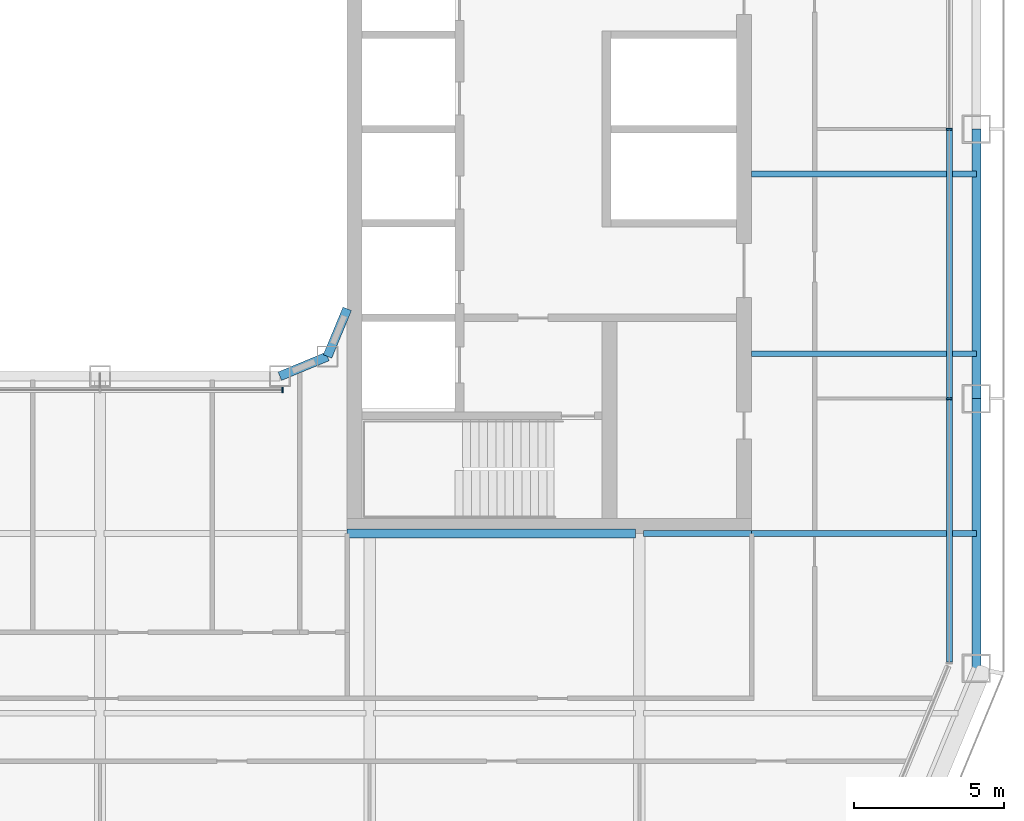
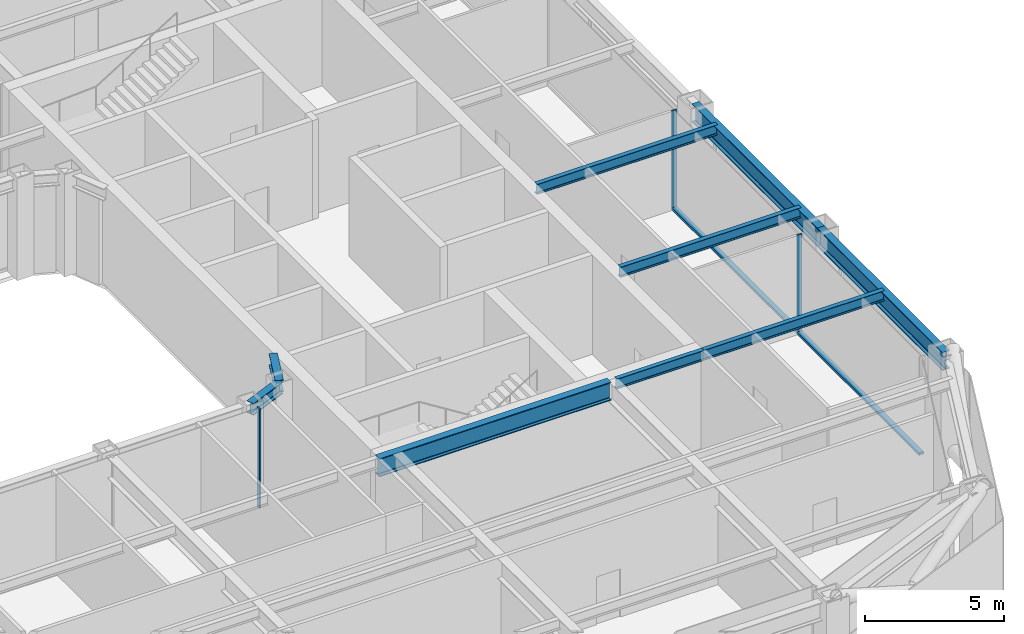
# One storey, part 5 of 21: 9 beams, 5 members, 2 elements without a shape of their own.
"""IFC4 building model written with IfcOpenShell, lengths in metres."""

import ifcopenshell
import ifcopenshell.guid

model = None  # the IFC model being written
_history = None  # IfcOwnerHistory: only IFC2X3 demands one
_inside = {}  # id of a spatial element -> (the spatial element, [elements in it])
_under = {}  # id of a project, library or spatial element -> (it, [spatial elements below it])
_declared = {}  # id of a project -> (the project, [libraries it declares])
_typed = {}  # id of a type object -> (the type object, [elements of that type])
_made_of = {}  # id of a material, layer set ... -> (it, [elements and type objects made of it])


def new_model(schema):
    """Start an empty IFC model of exactly this schema.

    Asked for "IFC4X3", IfcOpenShell would pick the latest addendum, in which some entities
    have other attributes; the version numbers below select the first issue.
    IFC2X3 requires an IfcOwnerHistory on every rooted entity: one is made here for all.
    """
    global model, _history
    if schema == "IFC4X3":
        model = ifcopenshell.file(schema_version=(4, 3, 0, 0))
    else:
        model = ifcopenshell.file(schema=schema)
    _inside.clear()
    _under.clear()
    _declared.clear()
    _typed.clear()
    _made_of.clear()
    _history = None
    if model.schema == "IFC2X3":
        org = make("IfcOrganization", Name="unknown")
        user = make(
            "IfcPersonAndOrganization",
            ThePerson=make("IfcPerson", FamilyName="unknown"),
            TheOrganization=org,
        )
        app = make(
            "IfcApplication",
            ApplicationDeveloper=org,
            Version="unknown",
            ApplicationFullName="unknown",
            ApplicationIdentifier="unknown",
        )
        _history = make(
            "IfcOwnerHistory",
            OwningUser=user,
            OwningApplication=app,
            ChangeAction="ADDED",
            CreationDate=0,
        )
    return model


def make(cls, **values):
    """One entity of the class cls with the attributes given. An attribute that is None is left unset."""
    return model.create_entity(
        cls, **{name: value for name, value in values.items() if value is not None}
    )


def rooted(cls, **values):
    """An entity with a GlobalId (a new one), such as an element, a storey or a relation."""
    return make(cls, GlobalId=ifcopenshell.guid.new(), OwnerHistory=_history, **values)


def si_unit(unit_type, name, prefix=None):
    """IfcSIUnit, for example si_unit("LENGTHUNIT", "METRE", prefix="MILLI")."""
    return make("IfcSIUnit", UnitType=unit_type, Prefix=prefix, Name=name)


def assignment(units):
    """IfcUnitAssignment: the units of a project."""
    return None if units is None else make("IfcUnitAssignment", Units=units)


def point(xyz):
    """IfcCartesianPoint."""
    return None if xyz is None else make("IfcCartesianPoint", Coordinates=xyz)


def direction(xyz):
    """IfcDirection."""
    return None if xyz is None else make("IfcDirection", DirectionRatios=xyz)


def frame(location, z_axis=None, x_axis=None):
    """IfcAxis2Placement3D, a coordinate frame: its origin and axes. An axis left out is left unset."""
    return make(
        "IfcAxis2Placement3D",
        Location=point(location),
        Axis=direction(z_axis),
        RefDirection=direction(x_axis),
    )


def frame_2d(location, x_axis=None):
    """IfcAxis2Placement2D, a coordinate frame in the plane: its origin and x axis."""
    return make(
        "IfcAxis2Placement2D", Location=point(location), RefDirection=direction(x_axis)
    )


def origin():
    """The frame at (0, 0, 0) with its axes left unset."""
    return frame((0.0, 0.0, 0.0))


def origin_2d():
    """The frame at (0, 0) in the plane with its x axis left unset."""
    return frame_2d((0.0, 0.0))


def place(relative_to, where):
    """IfcLocalPlacement: puts the frame where relative to a parent placement (None: the world)."""
    return make(
        "IfcLocalPlacement", PlacementRelTo=relative_to, RelativePlacement=where
    )


def context(
    kind, dimensions, precision=None, world=None, true_north=None, identifier=None
):
    """IfcGeometricRepresentationContext, for example the 3D "Model" context."""
    return make(
        "IfcGeometricRepresentationContext",
        ContextIdentifier=identifier,
        ContextType=kind,
        CoordinateSpaceDimension=dimensions,
        Precision=precision,
        WorldCoordinateSystem=world,
        TrueNorth=true_north,
    )


def subcontext(parent, identifier, kind, view, scale=None):
    """IfcGeometricRepresentationSubContext, for example "Body" below "Model"."""
    return make(
        "IfcGeometricRepresentationSubContext",
        ContextIdentifier=identifier,
        ContextType=kind,
        ParentContext=parent,
        TargetScale=scale,
        TargetView=view,
    )


def project(units=None, contexts=None):
    """IfcProject with its units and contexts."""
    return rooted(
        "IfcProject",
        Name="project",
        RepresentationContexts=contexts,
        UnitsInContext=assignment(units),
    )


def spatial(cls, under=None, at=None, **own):
    """A site, building, storey or space (cls), placed at a placement, below another one or the project."""
    s = rooted(cls, ObjectPlacement=at, **own)
    if under is not None:
        _under.setdefault(under.id(), (under, []))[1].append(s)
    return s


def profile(cls, at=None, kind="AREA", **sizes):
    """A parametric profile (cls). Its sizes go by their IFC names, for example OverallWidth=200.0."""
    return make(cls, ProfileType=kind, Position=at, **sizes)


def rectangle(**sizes):
    """IfcRectangleProfileDef."""
    return profile("IfcRectangleProfileDef", **sizes)


def i_section(**sizes):
    """IfcIShapeProfileDef."""
    return profile("IfcIShapeProfileDef", **sizes)


def extrude(swept, where, along, depth):
    """IfcExtrudedAreaSolid: the profile swept, set in the frame where, extruded along a direction by depth."""
    return make(
        "IfcExtrudedAreaSolid",
        SweptArea=swept,
        Position=where,
        ExtrudedDirection=direction(along),
        Depth=depth,
    )


def shape(context_of_items, identifier, shape_type, items):
    """IfcShapeRepresentation: the items that make up one representation, for example the "Body"."""
    return make(
        "IfcShapeRepresentation",
        ContextOfItems=context_of_items,
        RepresentationIdentifier=identifier,
        RepresentationType=shape_type,
        Items=items,
    )


def material(Name=None, Category=None):
    """IfcMaterial."""
    return make("IfcMaterial", Name=Name, Category=Category)


def layer(
    of_material, thickness, ventilated=None, Name=None, Category=None, Priority=None
):
    """IfcMaterialLayer: one layer of a wall or slab, of a material (None: an air gap)."""
    return make(
        "IfcMaterialLayer",
        Material=of_material,
        LayerThickness=thickness,
        IsVentilated=ventilated,
        Name=Name,
        Category=Category,
        Priority=Priority,
    )


def layer_set(layers, Name=None):
    """IfcMaterialLayerSet."""
    return make("IfcMaterialLayerSet", MaterialLayers=layers, LayerSetName=Name)


def material_profile(
    of_material, cross_section, Name=None, Category=None, Priority=None
):
    """IfcMaterialProfile: a cross section and its material."""
    return make(
        "IfcMaterialProfile",
        Name=Name,
        Material=of_material,
        Profile=cross_section,
        Priority=Priority,
        Category=Category,
    )


def profile_set(profiles, Name=None, composite=None):
    """IfcMaterialProfileSet."""
    return make(
        "IfcMaterialProfileSet",
        Name=Name,
        MaterialProfiles=profiles,
        CompositeProfile=composite,
    )


def made_of(thing, what):
    """Note that an element or type object is made of a material, layer set ...; save() writes the relation."""
    if what is not None:
        _made_of.setdefault(what.id(), (what, []))[1].append(thing)
    return thing


def type_object(cls, material=None, **own):
    """A type object (cls), such as IfcWallType, which elements share."""
    return made_of(rooted(cls, **own), material)


def element(
    cls,
    number,
    at=None,
    inside=None,
    cuts=None,
    type_object=None,
    material=None,
    context=None,
    identifier="Body",
    shape_type=None,
    held_by="IfcProductDefinitionShape",
    body=None,
    shapes=None,
    **own,
):
    """One element of the class cls, such as IfcWall. Its Tag is "e" and its number.

    at: its placement. inside: the storey or other place that contains it. cuts: it is an
    opening in that element (IfcRelVoidsElement). A single representation is given by context,
    identifier, shape_type and body (its items); several are given by shapes. held_by: the class
    of the entity that holds the representations. save() writes the other relations.
    """
    e = rooted(cls, Tag="e%d" % number, ObjectPlacement=at, **own)
    if body is not None:
        shapes = [shape(context, identifier, shape_type, body)]
    if shapes is not None:
        e.Representation = make(held_by, Representations=shapes)
    if inside is not None:
        _inside.setdefault(inside.id(), (inside, []))[1].append(e)
    if cuts is not None:
        rooted(
            "IfcRelVoidsElement", RelatingBuildingElement=cuts, RelatedOpeningElement=e
        )
    if type_object is not None:
        _typed.setdefault(type_object.id(), (type_object, []))[1].append(e)
    return made_of(e, material)


def aggregate(whole, parts):
    """IfcRelAggregates: a whole, such as a stair, and the parts it consists of."""
    return rooted("IfcRelAggregates", RelatingObject=whole, RelatedObjects=parts)


def save(model, path):
    """Write the relations noted so far, then the file.

    IfcRelAggregates (storeys below a building ...), IfcRelContainedInSpatialStructure (elements
    in a storey), IfcRelDefinesByType, IfcRelAssociatesMaterial and IfcRelDeclares: one each for
    every whole, place, type object, material and project.
    """
    for whole, parts in _under.values():
        aggregate(whole, parts)
    for where, things in _inside.values():
        rooted(
            "IfcRelContainedInSpatialStructure",
            RelatedElements=things,
            RelatingStructure=where,
        )
    for kind, things in _typed.values():
        rooted("IfcRelDefinesByType", RelatedObjects=things, RelatingType=kind)
    for what, things in _made_of.values():
        rooted("IfcRelAssociatesMaterial", RelatedObjects=things, RelatingMaterial=what)
    for by, libraries in _declared.values():
        rooted("IfcRelDeclares", RelatingContext=by, RelatedDefinitions=libraries)
    model.write(path)


model = new_model("IFC4")

# Units and contexts
model_context = context("Model", 3, precision=1e-05, world=origin(), true_north=direction((0.0, 1.0)))
body_context = subcontext(model_context, "Body", "Model", "MODEL_VIEW")
ifc_project = project(units=[si_unit("LENGTHUNIT", "METRE"), si_unit("AREAUNIT", "SQUARE_METRE"), si_unit("VOLUMEUNIT", "CUBIC_METRE"), si_unit("PLANEANGLEUNIT", "RADIAN"), si_unit("MASSUNIT", "GRAM", prefix="KILO")], contexts=[model_context])

# Site, building, storey
site_placement = place(None, origin())
site = spatial("IfcSite", under=ifc_project, at=site_placement, CompositionType="ELEMENT")
building_placement = place(site_placement, origin())
building = spatial("IfcBuilding", under=site, at=building_placement, Name="Siwar Civic Tower", CompositionType="ELEMENT")
storey_placement = place(building_placement, frame((0.0, 0.0, 140.699951171875)))
storey = spatial("IfcBuildingStorey", under=building, at=storey_placement, Name="L30", CompositionType="ELEMENT", Elevation=140.699951171875)

# Curtain wall, members
ifc_material_1 = material(Name="Aluminium and glass", Category="aluminium")
ifc_layer_1 = layer(ifc_material_1, 0.199951171875)
ifc_layer_set_1 = layer_set([ifc_layer_1], Name="Aluminium and glass")
curtain_wall_type_1 = type_object("IfcCurtainWallType", Name="ENV-CW-B", PredefinedType="NOTDEFINED", material=ifc_layer_set_1)
curtain_wall_1_placement = place(storey_placement, origin())
curtain_wall_1 = element("IfcCurtainWall", 1, at=curtain_wall_1_placement, inside=storey, type_object=curtain_wall_type_1, Name="Curtain wall B E", PredefinedType="NOTDEFINED")
ifc_material_2 = material(Name="Aluminium 6063-T6", Category="aluminium")
ifc_material_profile_1 = material_profile(ifc_material_2, rectangle(XDim=0.199951171875, YDim=0.06494140625, at=origin_2d()), Name="AL 200x65")
ifc_profile_set_1 = profile_set([ifc_material_profile_1], Name="Aluminium 6063-T6")
member_type_1 = type_object("IfcMemberType", Name="ENV-MULLION-B", PredefinedType="MULLION", material=ifc_profile_set_1)
member_1_placement = place(storey_placement, frame((28.35009765625, -9.0, 0.0), z_axis=(0.0, 0.0, 1.0), x_axis=(-1.0, 0.0, 0.0)))
member_1 = element("IfcMember", 2, at=member_1_placement, type_object=member_type_1, Name="Mullion B E 2", PredefinedType="MULLION", context=body_context, shape_type="SweptSolid", body=[
    extrude(rectangle(XDim=0.199951171875, YDim=0.06494140625, at=origin_2d()), origin(), (0.0, 0.0, 1.0), 4.35009765625),
])
member_2_placement = place(storey_placement, frame((28.35009765625, 0.0, 0.0), z_axis=(0.0, 0.0, 1.0), x_axis=(-1.0, 0.0, 0.0)))
member_2 = element("IfcMember", 3, at=member_2_placement, type_object=member_type_1, Name="Mullion B E 3", PredefinedType="MULLION", context=body_context, shape_type="SweptSolid", body=[
    extrude(rectangle(XDim=0.199951171875, YDim=0.06494140625, at=origin_2d()), origin(), (0.0, 0.0, 1.0), 4.35009765625),
])

# Curtain wall, member
ifc_material_3 = material(Name="Aluminium and glass", Category="aluminium")
ifc_layer_2 = layer(ifc_material_3, 0.179931640625)
ifc_layer_set_2 = layer_set([ifc_layer_2], Name="Aluminium and glass")
curtain_wall_type_2 = type_object("IfcCurtainWallType", Name="ENV-CW-W", PredefinedType="NOTDEFINED", material=ifc_layer_set_2)
curtain_wall_2_placement = place(storey_placement, origin())
curtain_wall_2 = element("IfcCurtainWall", 4, at=curtain_wall_2_placement, inside=storey, type_object=curtain_wall_type_2, Name="Curtain wall W WS", PredefinedType="NOTDEFINED")
ifc_material_4 = material(Name="Aluminium 6063-T6", Category="aluminium")
ifc_material_profile_2 = material_profile(ifc_material_4, rectangle(XDim=0.179931640625, YDim=0.06005859375, at=origin_2d()), Name="AL 180x60")
ifc_profile_set_2 = profile_set([ifc_material_profile_2], Name="Aluminium 6063-T6")
member_type_2 = type_object("IfcMemberType", Name="ENV-MULLION-W", PredefinedType="MULLION", material=ifc_profile_set_2)
member_3_placement = place(storey_placement, frame((6.091552734375, -8.7099609375, 0.0), z_axis=(0.0, 0.0, 1.0), x_axis=(0.0, 1.0, 0.0)))
member_3 = element("IfcMember", 5, at=member_3_placement, type_object=member_type_2, Name="Mullion W WS 3", PredefinedType="MULLION", context=body_context, shape_type="SweptSolid", body=[
    extrude(rectangle(XDim=0.179931640625, YDim=0.06005859375, at=origin_2d()), origin(), (0.0, 0.0, 1.0), 4.35009765625),
])
aggregate(curtain_wall_2, [member_3])

# Member
ifc_material_5 = material(Name="Aluminium 6063-T6", Category="aluminium")
ifc_material_profile_3 = material_profile(ifc_material_5, rectangle(XDim=0.199951171875, YDim=0.110107421875, at=origin_2d()), Name="AL 200x110")
ifc_profile_set_3 = profile_set([ifc_material_profile_3], Name="Aluminium 6063-T6")
member_type_3 = type_object("IfcMemberType", Name="ENV-TRANSOM-B", PredefinedType="USERDEFINED", material=ifc_profile_set_3)
member_4_placement = place(storey_placement, frame((28.35009765625, -17.78857421875, 0.054931640625), z_axis=(0.0, 1.0, 0.0), x_axis=(-1.0, 0.0, 0.0)))
member_4 = element("IfcMember", 6, at=member_4_placement, type_object=member_type_3, Name="Transom B E 1", ObjectType="TRANSOM", PredefinedType="USERDEFINED", context=body_context, shape_type="SweptSolid", body=[
    extrude(rectangle(XDim=0.199951171875, YDim=0.110107421875, at=origin_2d()), origin(), (0.0, 0.0, 1.0), 8.756103515625),
])

member_5_placement = place(storey_placement, frame((28.35009765625, -8.967529296875, 0.054931640625), z_axis=(0.0, 1.0, 0.0), x_axis=(-1.0, 0.0, 0.0)))
member_5 = element("IfcMember", 7, at=member_5_placement, type_object=member_type_3, Name="Transom B E 2", ObjectType="TRANSOM", PredefinedType="USERDEFINED", context=body_context, shape_type="SweptSolid", body=[
    extrude(rectangle(XDim=0.199951171875, YDim=0.110107421875, at=origin_2d()), origin(), (0.0, 0.0, 1.0), 8.93505859375),
])

aggregate(curtain_wall_1, [member_1, member_2, member_4, member_5])

# Beams
ifc_material_6 = material(Name="Steel S355", Category="steel")
ifc_material_profile_4 = material_profile(ifc_material_6, i_section(OverallWidth=0.18994140625, OverallDepth=0.449951171875, WebThickness=0.009521484375, FlangeThickness=0.0146484375, FilletRadius=0.02099609375, at=origin_2d()), Name="IPE450")
ifc_profile_set_4 = profile_set([ifc_material_profile_4], Name="Steel S355")
beam_type_1 = type_object("IfcBeamType", Name="STR-FB-IPE450", PredefinedType="JOIST", material=ifc_profile_set_4)
beam_1_placement = place(storey_placement, frame((18.1298828125, -13.5, 4.125), z_axis=(1.0, 0.0, 0.0), x_axis=(0.0, 1.0, 0.0)))
element("IfcBeam", 8, at=beam_1_placement, inside=storey, type_object=beam_type_1, Name="L30/bm/F019", PredefinedType="JOIST", context=body_context, shape_type="SweptSolid", body=[
    extrude(i_section(OverallWidth=0.18994140625, OverallDepth=0.449951171875, WebThickness=0.009521484375, FlangeThickness=0.0146484375, FilletRadius=0.02099609375, at=origin_2d()), origin(), (0.0, 0.0, 1.0), 3.6201171875),
])
for number, where, z_axis, x_axis, name in (
    (9, (21.75, -13.5, 4.125), (1.0, 0.0, 0.0), (0.0, 1.0, 0.0), "L30/bm/F020"),
    (10, (21.75, -7.5, 4.125), (1.0, 0.0, 0.0), (0.0, 1.0, 0.0), "L30/bm/F022"),
    (11, (21.75, -1.5, 4.125), (1.0, 0.0, 0.0), (0.0, 1.0, 0.0), "L30/bm/F024"),
):
    element("IfcBeam", number, at=place(storey_placement, frame(where, z_axis=z_axis, x_axis=x_axis)), inside=storey, type_object=beam_type_1, Name=name, PredefinedType="JOIST", context=body_context, shape_type="SweptSolid", body=[
        extrude(i_section(OverallWidth=0.18994140625, OverallDepth=0.449951171875, WebThickness=0.009521484375, FlangeThickness=0.0146484375, FilletRadius=0.02099609375, at=origin_2d()), origin(), (0.0, 0.0, 1.0), 7.5),
    ])
ifc_material_7 = material(Name="Steel S355", Category="steel")
ifc_material_profile_5 = material_profile(ifc_material_7, i_section(OverallWidth=0.300048828125, OverallDepth=0.800048828125, WebThickness=0.017578125, FlangeThickness=0.032958984375, FilletRadius=0.030029296875, at=origin_2d()), Name="HEB800")
ifc_profile_set_5 = profile_set([ifc_material_profile_5], Name="Steel S355")
beam_type_2 = type_object("IfcBeamType", Name="STR-PG-HEB800", PredefinedType="BEAM", material=ifc_profile_set_5)
beam_2_placement = place(storey_placement, frame((8.25, -13.5, 3.949951171875), z_axis=(1.0, 0.0, 0.0), x_axis=(0.0, 1.0, 0.0)))
element("IfcBeam", 12, at=beam_2_placement, inside=storey, type_object=beam_type_2, Name="L30/bm/F018", PredefinedType="BEAM", context=body_context, shape_type="SweptSolid", body=[
    extrude(i_section(OverallWidth=0.300048828125, OverallDepth=0.800048828125, WebThickness=0.017578125, FlangeThickness=0.032958984375, FilletRadius=0.030029296875, at=origin_2d()), origin(), (0.0, 0.0, 1.0), 9.6201171875),
])
ifc_material_8 = material(Name="Steel S355", Category="steel")
ifc_material_profile_6 = material_profile(ifc_material_8, i_section(OverallWidth=0.305908203125, OverallDepth=0.52392578125, WebThickness=0.02099609375, FlangeThickness=0.0400390625, FilletRadius=0.027099609375, at=origin_2d()), Name="HEM500")
ifc_profile_set_6 = profile_set([ifc_material_profile_6], Name="Steel S355")
beam_type_3 = type_object("IfcBeamType", Name="STR-RB-HEM500", PredefinedType="BEAM", material=ifc_profile_set_6)
for number, where, z_axis, x_axis, name in (
    (13, (6.0, -8.25, 4.088134765625), (0.923901072997, 0.382631424892, 0.0), (-0.382631424892, 0.923901072997, 0.0), "L30/bm/RS3"),
    (14, (7.591064453125, -7.591064453125, 4.088134765625), (0.382631424892, 0.923901072997, 0.0), (-0.923901072997, 0.382631424892, 0.0), "L30/bm/RSEE"),
):
    element("IfcBeam", number, at=place(storey_placement, frame(where, z_axis=z_axis, x_axis=x_axis)), inside=storey, type_object=beam_type_3, Name=name, PredefinedType="BEAM", context=body_context, shape_type="SweptSolid", body=[
        extrude(i_section(OverallWidth=0.305908203125, OverallDepth=0.52392578125, WebThickness=0.02099609375, FlangeThickness=0.0400390625, FilletRadius=0.027099609375, at=origin_2d()), origin(), (0.0, 0.0, 1.0), 1.72216796875),
    ])
ifc_material_9 = material(Name="Steel S355", Category="steel")
ifc_material_profile_7 = material_profile(ifc_material_9, i_section(OverallWidth=0.300048828125, OverallDepth=0.800048828125, WebThickness=0.017578125, FlangeThickness=0.032958984375, FilletRadius=0.030029296875, at=origin_2d()), Name="HEB800")
ifc_profile_set_7 = profile_set([ifc_material_profile_7], Name="Steel S355")
beam_type_4 = type_object("IfcBeamType", Name="STR-SB-HEB800", PredefinedType="BEAM", material=ifc_profile_set_7)
for number, where, z_axis, x_axis, name in (
    (15, (29.25, -18.0, 3.949951171875), (0.0, 1.0, 0.0), (-1.0, 0.0, 0.0), "L30/bm/SE-0"),
    (16, (29.25, -9.0, 3.949951171875), (0.0, 1.0, 0.0), (-1.0, 0.0, 0.0), "L30/bm/SE-1"),
):
    element("IfcBeam", number, at=place(storey_placement, frame(where, z_axis=z_axis, x_axis=x_axis)), inside=storey, type_object=beam_type_4, Name=name, PredefinedType="BEAM", context=body_context, shape_type="SweptSolid", body=[
        extrude(i_section(OverallWidth=0.300048828125, OverallDepth=0.800048828125, WebThickness=0.017578125, FlangeThickness=0.032958984375, FilletRadius=0.030029296875, at=origin_2d()), origin(), (0.0, 0.0, 1.0), 9.0),
    ])

save(model, "model.ifc")
